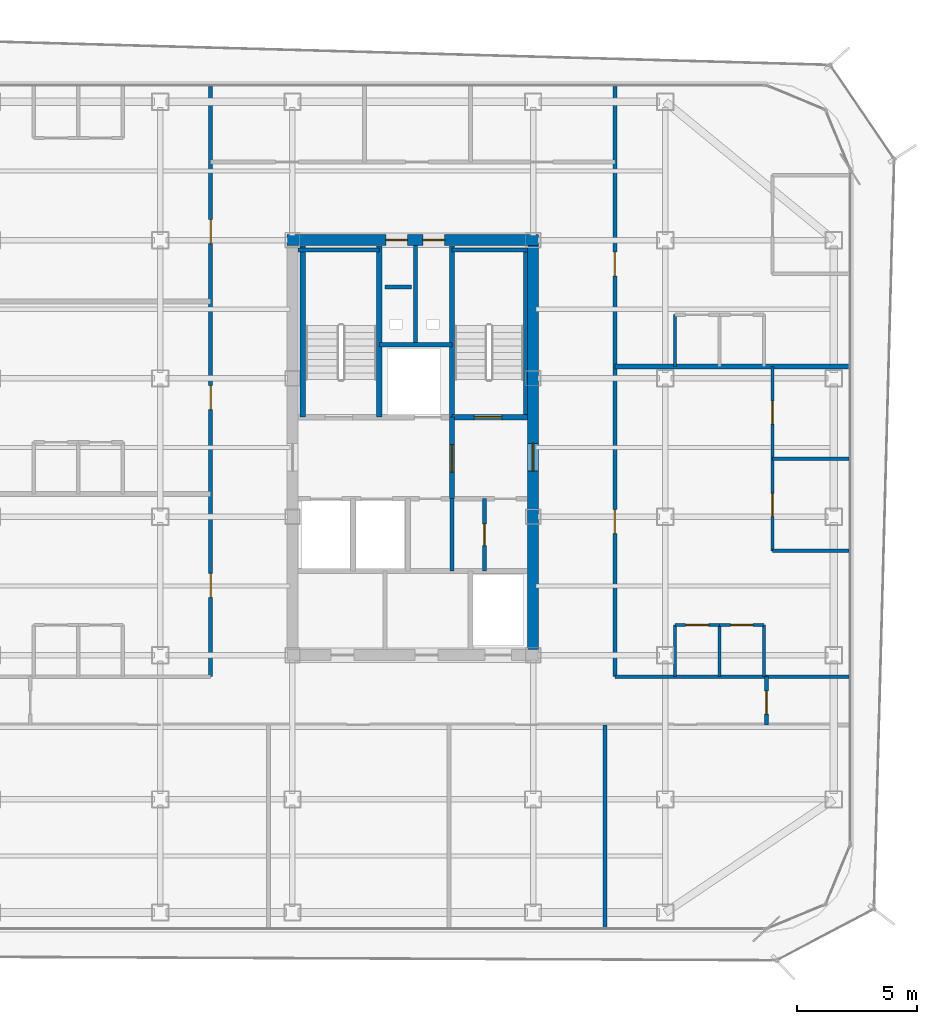
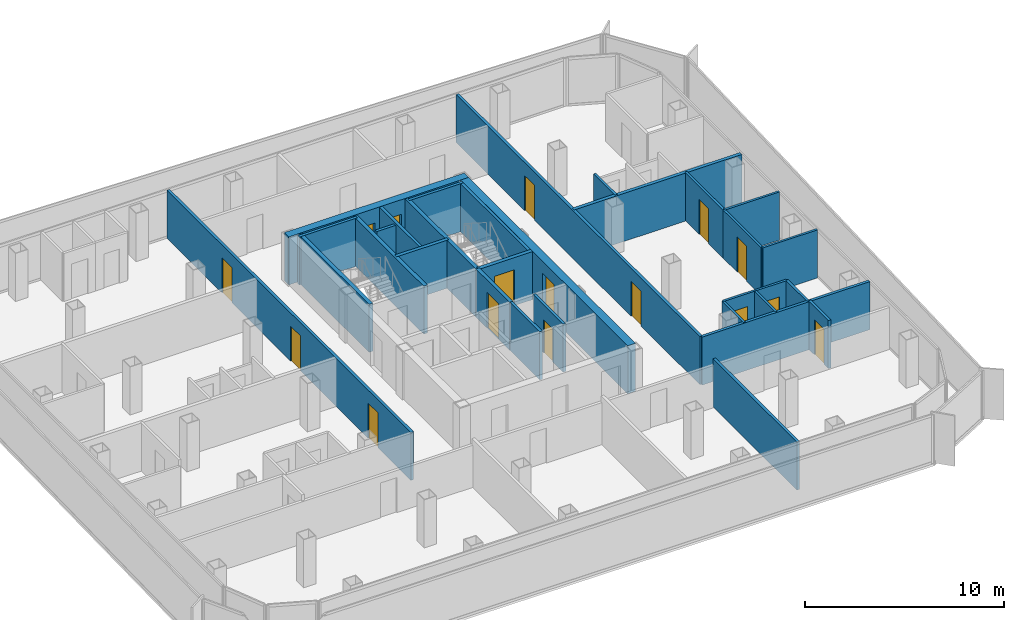
# One storey, part 11 of 15: 32 walls, 16 doors, 16 openings.
"""IFC4 building model written with IfcOpenShell, lengths in metres."""

from ifc_helpers import new_model, si_unit, direction, frame, frame_2d, origin, place, context, subcontext, project, spatial, rectangle, extrude, material, layer, layer_set, type_object, element, fill, save


model = new_model("IFC4")

# Units and contexts
model_context = context("Model", 3, precision=1e-05, world=origin(), true_north=direction((0.0, 1.0)))
body_context = subcontext(model_context, "Body", "Model", "MODEL_VIEW")
ifc_project = project(units=[si_unit("LENGTHUNIT", "METRE"), si_unit("AREAUNIT", "SQUARE_METRE"), si_unit("VOLUMEUNIT", "CUBIC_METRE"), si_unit("PLANEANGLEUNIT", "RADIAN"), si_unit("MASSUNIT", "GRAM", prefix="KILO")], contexts=[model_context])

# Site, building, storey
site_placement = place(None, origin())
site = spatial("IfcSite", under=ifc_project, at=site_placement, CompositionType="ELEMENT")
building_placement = place(site_placement, origin())
building = spatial("IfcBuilding", under=site, at=building_placement, Name="Kolveth Station Tower", CompositionType="ELEMENT")
storey_placement = place(building_placement, frame((0.0, 0.0, 193.199951171875)))
storey = spatial("IfcBuildingStorey", under=building, at=storey_placement, Name="L54", CompositionType="ELEMENT", Elevation=193.199951171875)

# Wall, openings, doors
ifc_material_1 = material(Name="Concrete C50/60", Category="concrete")
ifc_layer_1 = layer(ifc_material_1, 0.449951171875)
ifc_layer_set_1 = layer_set([ifc_layer_1], Name="Concrete C50/60")
wall_type_1 = type_object("IfcWallType", Name="Wall_CW-450", PredefinedType="SHEAR", material=ifc_layer_set_1)
wall_1_placement = place(storey_placement, frame((18.27490234375, 28.75, 0.0), z_axis=(0.0, 0.0, 1.0), x_axis=(1.0, 0.0, 0.0)))
wall_1 = element("IfcWall", 1, at=wall_1_placement, inside=storey, type_object=wall_type_1, Name="L54 Core RC Shear Wall N", PredefinedType="SHEAR", context=body_context, shape_type="SweptSolid", body=[
    extrude(rectangle(XDim=10.4501953125, YDim=0.449951171875, at=frame_2d((5.22509765625, 0.0))), origin(), (0.0, 0.0, 1.0), 2.949951171875),
])
opening_1_placement = place(wall_1_placement, frame((4.10498046875, 0.0, 0.0)))
opening_1 = element("IfcOpeningElement", 2, at=opening_1_placement, cuts=wall_1, Name="Opening RD1", PredefinedType="OPENING", context=body_context, shape_type="SweptSolid", body=[
    extrude(rectangle(XDim=0.89990234375, YDim=2.050048828125, at=frame_2d((0.449951171875, 1.02490234375))), frame((0.0, 0.23486328125, 0.0), z_axis=(0.0, -1.0, 0.0), x_axis=(1.0, 0.0, 0.0)), (0.0, 0.0, 1.0), 0.469970703125),
])
opening_2_placement = place(wall_1_placement, frame((5.64501953125, 0.0, 0.0)))
opening_2 = element("IfcOpeningElement", 3, at=opening_2_placement, cuts=wall_1, Name="Opening RD1", PredefinedType="OPENING", context=body_context, shape_type="SweptSolid", body=[
    extrude(rectangle(XDim=0.89990234375, YDim=2.050048828125, at=frame_2d((0.449951171875, 1.02490234375))), frame((0.0, 0.23486328125, 0.0), z_axis=(0.0, -1.0, 0.0), x_axis=(1.0, 0.0, 0.0)), (0.0, 0.0, 1.0), 0.469970703125),
])
ifc_material_2 = material(Name="Fire-rated Steel S355 riser access leaf", Category="steel")
door_type_1 = type_object("IfcDoorType", Name="Door_RD1", OperationType="NOTDEFINED", PredefinedType="DOOR", material=ifc_material_2)
door_1_placement = place(opening_1_placement, origin())
door_1 = element("IfcDoor", 4, at=door_1_placement, inside=storey, type_object=door_type_1, Name="L54 Electrical Riser Access Door", OperationType="SINGLE_SWING_RIGHT", OverallHeight=2.050048828125, OverallWidth=0.89990234375, PredefinedType="DOOR", context=body_context, shape_type="SweptSolid", body=[
    extrude(rectangle(XDim=0.89990234375, YDim=2.050048828125, at=frame_2d((0.449951171875, 1.02490234375))), frame((0.0, 0.02490234375, 0.0), z_axis=(0.0, -1.0, 0.0), x_axis=(1.0, 0.0, 0.0)), (0.0, 0.0, 1.0), 0.050048828125),
])
fill(opening_1, door_1)
door_2_placement = place(opening_2_placement, origin())
door_2 = element("IfcDoor", 5, at=door_2_placement, inside=storey, type_object=door_type_1, Name="L54 Smoke Duct Access Door", OperationType="SINGLE_SWING_LEFT", OverallHeight=2.050048828125, OverallWidth=0.89990234375, PredefinedType="DOOR", context=body_context, shape_type="SweptSolid", body=[
    extrude(rectangle(XDim=0.89990234375, YDim=2.050048828125, at=frame_2d((0.449951171875, 1.02490234375))), frame((0.0, 0.02490234375, 0.0), z_axis=(0.0, -1.0, 0.0), x_axis=(1.0, 0.0, 0.0)), (0.0, 0.0, 1.0), 0.050048828125),
])
fill(opening_2, door_2)

# Wall, opening, door
wall_2_placement = place(storey_placement, frame((28.5, 11.72509765625, 0.0), z_axis=(0.0, 0.0, 1.0), x_axis=(0.0, 1.0, 0.0)))
wall_2 = element("IfcWall", 6, at=wall_2_placement, inside=storey, type_object=wall_type_1, Name="L54 Core RC Shear Wall E", PredefinedType="SHEAR", context=body_context, shape_type="SweptSolid", body=[
    extrude(rectangle(XDim=16.7998046875, YDim=0.449951171875, at=frame_2d((8.39990234375, 0.0))), origin(), (0.0, 0.0, 1.0), 2.949951171875),
])
opening_3_placement = place(wall_2_placement, frame((7.425048828125, 0.0, 0.0)))
opening_3 = element("IfcOpeningElement", 7, at=opening_3_placement, cuts=wall_2, Name="Opening FD1", PredefinedType="OPENING", context=body_context, shape_type="SweptSolid", body=[
    extrude(rectangle(XDim=1.14990234375, YDim=2.199951171875, at=frame_2d((0.574951171875, 1.10009765625))), frame((0.0, 0.23486328125, 0.0), z_axis=(0.0, -1.0, 0.0), x_axis=(1.0, 0.0, 0.0)), (0.0, 0.0, 1.0), 0.469970703125),
])
ifc_material_3 = material(Name="Fire-rated Steel S355 leaf and frame", Category="steel")
door_type_2 = type_object("IfcDoorType", Name="Door_FD1", OperationType="NOTDEFINED", PredefinedType="DOOR", material=ifc_material_3)
door_3_placement = place(opening_3_placement, origin())
door_3 = element("IfcDoor", 8, at=door_3_placement, inside=storey, type_object=door_type_2, Name="L54 East Corridor to Stair Lobby Door", OperationType="SINGLE_SWING_LEFT", OverallHeight=2.199951171875, OverallWidth=1.14990234375, PredefinedType="DOOR", context=body_context, shape_type="SweptSolid", body=[
    extrude(rectangle(XDim=1.14990234375, YDim=2.199951171875, at=frame_2d((0.574951171875, 1.10009765625))), frame((0.0, 0.02490234375, 0.0), z_axis=(0.0, -1.0, 0.0), x_axis=(1.0, 0.0, 0.0)), (0.0, 0.0, 1.0), 0.050048828125),
])
fill(opening_3, door_3)

ifc_material_4 = material(Name="Moisture-resistant gypsum partition")
ifc_layer_2 = layer(ifc_material_4, 0.135009765625)
ifc_layer_set_2 = layer_set([ifc_layer_2], Name="Moisture-resistant gypsum partition")
wall_type_2 = type_object("IfcWallType", Name="Wall_IW-135", PredefinedType="PARTITIONING", material=ifc_layer_set_2)
wall_3_placement = place(storey_placement, frame((34.39990234375, 12.75, 0.0), z_axis=(0.0, 0.0, 1.0), x_axis=(1.0, 0.0, 0.0)))
wall_3 = element("IfcWall", 9, at=wall_3_placement, inside=storey, type_object=wall_type_2, Name="L54 Partition Wall WL-L54-E1-IBHK", PredefinedType="PARTITIONING", context=body_context, shape_type="SweptSolid", body=[
    extrude(rectangle(XDim=1.85009765625, YDim=0.135009765625, at=frame_2d((0.925048828125, 0.0))), origin(), (0.0, 0.0, 1.0), 2.949951171875),
])
opening_4_placement = place(wall_3_placement, frame((0.445068359375, 0.0, 0.0)))
opening_4 = element("IfcOpeningElement", 10, at=opening_4_placement, cuts=wall_3, Name="Opening ID1", PredefinedType="OPENING", context=body_context, shape_type="SweptSolid", body=[
    extrude(rectangle(XDim=0.949951171875, YDim=2.14990234375, at=frame_2d((0.47509765625, 1.074951171875))), frame((0.0, 0.077392578125, 0.0), z_axis=(0.0, -1.0, 0.0), x_axis=(1.0, 0.0, 0.0)), (0.0, 0.0, 1.0), 0.155029296875),
])
ifc_material_5 = material(Name="Acoustic hardwood leaf and aluminium frame", Category="wood")
door_type_3 = type_object("IfcDoorType", Name="Door_ID1", OperationType="NOTDEFINED", PredefinedType="DOOR", material=ifc_material_5)
door_4_placement = place(opening_4_placement, origin())
door_4 = element("IfcDoor", 11, at=door_4_placement, inside=storey, type_object=door_type_3, Name="Penthouse Flat L54-E1 Kitchen Door", OperationType="SINGLE_SWING_LEFT", OverallHeight=2.14990234375, OverallWidth=0.949951171875, PredefinedType="DOOR", context=body_context, shape_type="SweptSolid", body=[
    extrude(rectangle(XDim=0.949951171875, YDim=2.14990234375, at=frame_2d((0.47509765625, 1.074951171875))), frame((0.0, 0.02490234375, 0.0), z_axis=(0.0, -1.0, 0.0), x_axis=(1.0, 0.0, 0.0)), (0.0, 0.0, 1.0), 0.050048828125),
])
fill(opening_4, door_4)

wall_4_placement = place(storey_placement, frame((36.25, 12.75, 0.0), z_axis=(0.0, 0.0, 1.0), x_axis=(1.0, 0.0, 0.0)))
wall_4 = element("IfcWall", 12, at=wall_4_placement, inside=storey, type_object=wall_type_2, Name="L54 Partition Wall WL-L54-E1-IBHB", PredefinedType="PARTITIONING", context=body_context, shape_type="SweptSolid", body=[
    extrude(rectangle(XDim=1.85009765625, YDim=0.135009765625, at=frame_2d((0.925048828125, 0.0))), origin(), (0.0, 0.0, 1.0), 2.949951171875),
])
opening_5_placement = place(wall_4_placement, frame((0.465087890625, 0.0, 0.0)))
opening_5 = element("IfcOpeningElement", 13, at=opening_5_placement, cuts=wall_4, Name="Opening ID2", PredefinedType="OPENING", context=body_context, shape_type="SweptSolid", body=[
    extrude(rectangle(XDim=0.919921875, YDim=2.10009765625, at=frame_2d((0.4599609375, 1.050048828125))), frame((0.0, 0.077392578125, 0.0), z_axis=(0.0, -1.0, 0.0), x_axis=(1.0, 0.0, 0.0)), (0.0, 0.0, 1.0), 0.155029296875),
])
ifc_material_6 = material(Name="Moisture-resistant hardwood leaf", Category="wood")
door_type_4 = type_object("IfcDoorType", Name="Door_ID2", OperationType="NOTDEFINED", PredefinedType="DOOR", material=ifc_material_6)
door_5_placement = place(opening_5_placement, origin())
door_5 = element("IfcDoor", 14, at=door_5_placement, inside=storey, type_object=door_type_4, Name="Penthouse Flat L54-E1 Bathroom Door", OperationType="SINGLE_SWING_RIGHT", OverallHeight=2.10009765625, OverallWidth=0.919921875, PredefinedType="DOOR", context=body_context, shape_type="SweptSolid", body=[
    extrude(rectangle(XDim=0.919921875, YDim=2.10009765625, at=frame_2d((0.4599609375, 1.050048828125))), frame((0.0, 0.02490234375, 0.0), z_axis=(0.0, -1.0, 0.0), x_axis=(1.0, 0.0, 0.0)), (0.0, 0.0, 1.0), 0.050048828125),
])
fill(opening_5, door_5)

# Walls
for number, where, z_axis, x_axis, name in (
    (15, (34.39990234375, 10.60009765625, 0.0), (0.0, 0.0, 1.0), (0.0, 1.0, 0.0), "L54 Partition Wall WL-L54-E1-IBV0"),
    (16, (36.25, 10.60009765625, 0.0), (0.0, 0.0, 1.0), (0.0, 1.0, 0.0), "L54 Partition Wall WL-L54-E1-IBV1"),
    (17, (38.10009765625, 10.60009765625, 0.0), (0.0, 0.0, 1.0), (0.0, 1.0, 0.0), "L54 Partition Wall WL-L54-E1-IBV2"),
):
    element("IfcWall", number, at=place(storey_placement, frame(where, z_axis=z_axis, x_axis=x_axis)), inside=storey, type_object=wall_type_2, Name=name, PredefinedType="PARTITIONING", context=body_context, shape_type="SweptSolid", body=[
        extrude(rectangle(XDim=2.14990234375, YDim=0.135009765625, at=frame_2d((1.074951171875, 0.0))), origin(), (0.0, 0.0, 1.0), 2.949951171875),
    ])
wall_5_placement = place(storey_placement, frame((38.449951171875, 15.83203125, 0.0), z_axis=(0.0, 0.0, 1.0), x_axis=(1.0, 0.0, 0.0)))
element("IfcWall", 18, at=wall_5_placement, inside=storey, type_object=wall_type_2, Name="L54 Partition Wall WL-L54-E1-BDH0", PredefinedType="PARTITIONING", context=body_context, shape_type="SweptSolid", body=[
    extrude(rectangle(XDim=3.18994140625, YDim=0.135009765625, at=frame_2d((1.594970703125, 0.0))), origin(), (0.0, 0.0, 1.0), 2.949951171875),
])

# Wall, opening, door
wall_6_placement = place(storey_placement, frame((38.449951171875, 15.83203125, 0.0), z_axis=(0.0, 0.0, 1.0), x_axis=(0.0, 1.0, 0.0)))
wall_6 = element("IfcWall", 19, at=wall_6_placement, inside=storey, type_object=wall_type_2, Name="L54 Partition Wall WL-L54-E1-BDV1", PredefinedType="PARTITIONING", context=body_context, shape_type="SweptSolid", body=[
    extrude(rectangle(XDim=3.833984375, YDim=0.135009765625, at=frame_2d((1.9169921875, 0.0))), origin(), (0.0, 0.0, 1.0), 2.949951171875),
])
opening_6_placement = place(wall_6_placement, frame((1.43701171875, 0.0, 0.0)))
opening_6 = element("IfcOpeningElement", 20, at=opening_6_placement, cuts=wall_6, Name="Opening ID1", PredefinedType="OPENING", context=body_context, shape_type="SweptSolid", body=[
    extrude(rectangle(XDim=0.949951171875, YDim=2.14990234375, at=frame_2d((0.47509765625, 1.074951171875))), frame((0.0, 0.077392578125, 0.0), z_axis=(0.0, -1.0, 0.0), x_axis=(1.0, 0.0, 0.0)), (0.0, 0.0, 1.0), 0.155029296875),
])
door_6_placement = place(opening_6_placement, frame((0.949951171875, 0.0, 0.0), z_axis=(0.0, 0.0, 1.0), x_axis=(-1.0, 0.0, 0.0)))
door_6 = element("IfcDoor", 21, at=door_6_placement, inside=storey, type_object=door_type_3, Name="Penthouse Flat L54-E1 Bedroom 1 Door", OperationType="SINGLE_SWING_LEFT", OverallHeight=2.14990234375, OverallWidth=0.949951171875, PredefinedType="DOOR", context=body_context, shape_type="SweptSolid", body=[
    extrude(rectangle(XDim=0.949951171875, YDim=2.14990234375, at=frame_2d((0.47509765625, 1.074951171875))), frame((0.0, 0.02490234375, 0.0), z_axis=(0.0, -1.0, 0.0), x_axis=(1.0, 0.0, 0.0)), (0.0, 0.0, 1.0), 0.050048828125),
])
fill(opening_6, door_6)

wall_7_placement = place(storey_placement, frame((38.449951171875, 19.666015625, 0.0), z_axis=(0.0, 0.0, 1.0), x_axis=(0.0, 1.0, 0.0)))
wall_7 = element("IfcWall", 22, at=wall_7_placement, inside=storey, type_object=wall_type_2, Name="L54 Partition Wall WL-L54-E1-BDV2", PredefinedType="PARTITIONING", context=body_context, shape_type="SweptSolid", body=[
    extrude(rectangle(XDim=3.833984375, YDim=0.135009765625, at=frame_2d((1.9169921875, 0.0))), origin(), (0.0, 0.0, 1.0), 2.949951171875),
])
opening_7_placement = place(wall_7_placement, frame((1.43701171875, 0.0, 0.0)))
opening_7 = element("IfcOpeningElement", 23, at=opening_7_placement, cuts=wall_7, Name="Opening ID1", PredefinedType="OPENING", context=body_context, shape_type="SweptSolid", body=[
    extrude(rectangle(XDim=0.949951171875, YDim=2.14990234375, at=frame_2d((0.47509765625, 1.074951171875))), frame((0.0, 0.077392578125, 0.0), z_axis=(0.0, -1.0, 0.0), x_axis=(1.0, 0.0, 0.0)), (0.0, 0.0, 1.0), 0.155029296875),
])
door_7_placement = place(opening_7_placement, frame((0.949951171875, 0.0, 0.0), z_axis=(0.0, 0.0, 1.0), x_axis=(-1.0, 0.0, 0.0)))
door_7 = element("IfcDoor", 24, at=door_7_placement, inside=storey, type_object=door_type_3, Name="Penthouse Flat L54-E1 Bedroom 2 Door", OperationType="SINGLE_SWING_LEFT", OverallHeight=2.14990234375, OverallWidth=0.949951171875, PredefinedType="DOOR", context=body_context, shape_type="SweptSolid", body=[
    extrude(rectangle(XDim=0.949951171875, YDim=2.14990234375, at=frame_2d((0.47509765625, 1.074951171875))), frame((0.0, 0.02490234375, 0.0), z_axis=(0.0, -1.0, 0.0), x_axis=(1.0, 0.0, 0.0)), (0.0, 0.0, 1.0), 0.050048828125),
])
fill(opening_7, door_7)

# Walls
wall_8_placement = place(storey_placement, frame((38.449951171875, 19.666015625, 0.0), z_axis=(0.0, 0.0, 1.0), x_axis=(1.0, 0.0, 0.0)))
element("IfcWall", 25, at=wall_8_placement, inside=storey, type_object=wall_type_2, Name="L54 Partition Wall WL-L54-E1-BDH1", PredefinedType="PARTITIONING", context=body_context, shape_type="SweptSolid", body=[
    extrude(rectangle(XDim=3.18994140625, YDim=0.135009765625, at=frame_2d((1.594970703125, 0.0))), origin(), (0.0, 0.0, 1.0), 2.949951171875),
])
wall_9_placement = place(storey_placement, frame((34.39990234375, 23.5, 0.0), z_axis=(0.0, 0.0, 1.0), x_axis=(0.0, 1.0, 0.0)))
element("IfcWall", 26, at=wall_9_placement, inside=storey, type_object=wall_type_2, Name="L54 Partition Wall WL-L54-E2-IBV0", PredefinedType="PARTITIONING", context=body_context, shape_type="SweptSolid", body=[
    extrude(rectangle(XDim=2.14990234375, YDim=0.135009765625, at=frame_2d((1.074951171875, 0.0))), origin(), (0.0, 0.0, 1.0), 2.949951171875),
])
ifc_material_7 = material(Name="Acoustic double-stud gypsum partition")
ifc_layer_3 = layer(ifc_material_7, 0.1650390625)
ifc_layer_set_3 = layer_set([ifc_layer_3], Name="Acoustic double-stud gypsum partition")
wall_type_3 = type_object("IfcWallType", Name="Wall_IW-165", PredefinedType="PARTITIONING", material=ifc_layer_set_3)
wall_10_placement = place(storey_placement, frame((18.735107421875, 28.3349609375, 0.0), z_axis=(0.0, 0.0, 1.0), x_axis=(1.0, 0.0, 0.0)))
element("IfcWall", 27, at=wall_10_placement, inside=storey, type_object=wall_type_3, Name="L54 Stair Shaft Wall WL-L54-ST1-N", PredefinedType="PARTITIONING", context=body_context, shape_type="SweptSolid", body=[
    extrude(rectangle(XDim=3.375, YDim=0.1650390625, at=frame_2d((1.6875, 0.0))), origin(), (0.0, 0.0, 1.0), 2.949951171875),
])
wall_11_placement = place(storey_placement, frame((25.1298828125, 28.3349609375, 0.0), z_axis=(0.0, 0.0, 1.0), x_axis=(1.0, 0.0, 0.0)))
element("IfcWall", 28, at=wall_11_placement, inside=storey, type_object=wall_type_3, Name="L54 Stair Shaft Wall WL-L54-ST2-N", PredefinedType="PARTITIONING", context=body_context, shape_type="SweptSolid", body=[
    extrude(rectangle(XDim=3.135009765625, YDim=0.1650390625, at=frame_2d((1.5673828125, 0.0))), origin(), (0.0, 0.0, 1.0), 2.949951171875),
])
wall_12_placement = place(storey_placement, frame((28.1826171875, 21.389892578125, 0.0), z_axis=(0.0, 0.0, 1.0), x_axis=(0.0, 1.0, 0.0)))
element("IfcWall", 29, at=wall_12_placement, inside=storey, type_object=wall_type_3, Name="L54 Stair Shaft Wall WL-L54-ST2-E", PredefinedType="PARTITIONING", context=body_context, shape_type="SweptSolid", body=[
    extrude(rectangle(XDim=6.945068359375, YDim=0.1650390625, at=frame_2d((3.47265625, 0.0))), origin(), (0.0, 0.0, 1.0), 2.949951171875),
])
wall_13_placement = place(storey_placement, frame((23.6201171875, 24.39990234375, 0.0), z_axis=(0.0, 0.0, 1.0), x_axis=(0.0, 1.0, 0.0)))
element("IfcWall", 30, at=wall_13_placement, inside=storey, type_object=wall_type_3, Name="L54 Partition Wall WL-L54-RSR-M", PredefinedType="PARTITIONING", context=body_context, shape_type="SweptSolid", body=[
    extrude(rectangle(XDim=4.114990234375, YDim=0.1650390625, at=frame_2d((2.0576171875, 0.0))), origin(), (0.0, 0.0, 1.0), 2.949951171875),
])
wall_14_placement = place(storey_placement, frame((25.1298828125, 15.0, 0.0), z_axis=(0.0, 0.0, 1.0), x_axis=(0.0, 1.0, 0.0)))
element("IfcWall", 31, at=wall_14_placement, inside=storey, type_object=wall_type_3, Name="L54 Partition Wall WL-L54-CB-V3A", PredefinedType="PARTITIONING", context=body_context, shape_type="SweptSolid", body=[
    extrude(rectangle(XDim=3.0, YDim=0.1650390625, at=frame_2d((1.5, 0.0))), origin(), (0.0, 0.0, 1.0), 2.949951171875),
])

# Wall, opening, door
wall_15_placement = place(storey_placement, frame((26.47998046875, 15.0, 0.0), z_axis=(0.0, 0.0, 1.0), x_axis=(0.0, 1.0, 0.0)))
wall_15 = element("IfcWall", 32, at=wall_15_placement, inside=storey, type_object=wall_type_3, Name="L54 Partition Wall WL-L54-CB-V3B", PredefinedType="PARTITIONING", context=body_context, shape_type="SweptSolid", body=[
    extrude(rectangle(XDim=3.0, YDim=0.1650390625, at=frame_2d((1.5, 0.0))), origin(), (0.0, 0.0, 1.0), 2.949951171875),
])
opening_8_placement = place(wall_15_placement, frame((1.050048828125, 0.0, 0.0)))
opening_8 = element("IfcOpeningElement", 33, at=opening_8_placement, cuts=wall_15, Name="Opening RD1", PredefinedType="OPENING", context=body_context, shape_type="SweptSolid", body=[
    extrude(rectangle(XDim=0.89990234375, YDim=2.050048828125, at=frame_2d((0.449951171875, 1.02490234375))), frame((0.0, 0.092529296875, 0.0), z_axis=(0.0, -1.0, 0.0), x_axis=(1.0, 0.0, 0.0)), (0.0, 0.0, 1.0), 0.18505859375),
])
door_8_placement = place(opening_8_placement, origin())
door_8 = element("IfcDoor", 34, at=door_8_placement, inside=storey, type_object=door_type_1, Name="L54 Core Meter Closet Door", OperationType="SINGLE_SWING_RIGHT", OverallHeight=2.050048828125, OverallWidth=0.89990234375, PredefinedType="DOOR", context=body_context, shape_type="SweptSolid", body=[
    extrude(rectangle(XDim=0.89990234375, YDim=2.050048828125, at=frame_2d((0.449951171875, 1.02490234375))), frame((0.0, 0.02490234375, 0.0), z_axis=(0.0, -1.0, 0.0), x_axis=(1.0, 0.0, 0.0)), (0.0, 0.0, 1.0), 0.050048828125),
])
fill(opening_8, door_8)

# Wall
wall_16_placement = place(storey_placement, frame((31.89990234375, 10.60009765625, 0.0), z_axis=(0.0, 0.0, 1.0), x_axis=(1.0, 0.0, 0.0)))
element("IfcWall", 35, at=wall_16_placement, inside=storey, type_object=wall_type_3, Name="L54 Partition Wall WL-L54-RSET", PredefinedType="PARTITIONING", context=body_context, shape_type="SweptSolid", body=[
    extrude(rectangle(XDim=6.300048828125, YDim=0.1650390625, at=frame_2d((3.14990234375, 0.0))), origin(), (0.0, 0.0, 1.0), 2.949951171875),
])

# Wall, opening, door
wall_17_placement = place(storey_placement, frame((38.199951171875, 8.60009765625, 0.0), z_axis=(0.0, 0.0, 1.0), x_axis=(0.0, 1.0, 0.0)))
wall_17 = element("IfcWall", 36, at=wall_17_placement, inside=storey, type_object=wall_type_3, Name="L54 Partition Wall WL-L54-RSEE", PredefinedType="PARTITIONING", context=body_context, shape_type="SweptSolid", body=[
    extrude(rectangle(XDim=2.0, YDim=0.1650390625, at=frame_2d((1.0, 0.0))), origin(), (0.0, 0.0, 1.0), 2.949951171875),
])
opening_9_placement = place(wall_17_placement, frame((0.449951171875, 0.0, 0.0)))
opening_9 = element("IfcOpeningElement", 37, at=opening_9_placement, cuts=wall_17, Name="Opening ID1", PredefinedType="OPENING", context=body_context, shape_type="SweptSolid", body=[
    extrude(rectangle(XDim=0.949951171875, YDim=2.14990234375, at=frame_2d((0.47509765625, 1.074951171875))), frame((0.0, 0.092529296875, 0.0), z_axis=(0.0, -1.0, 0.0), x_axis=(1.0, 0.0, 0.0)), (0.0, 0.0, 1.0), 0.18505859375),
])
door_9_placement = place(opening_9_placement, origin())
door_9 = element("IfcDoor", 38, at=door_9_placement, inside=storey, type_object=door_type_3, Name="L54 Hobby Study Door", OperationType="SINGLE_SWING_LEFT", OverallHeight=2.14990234375, OverallWidth=0.949951171875, PredefinedType="DOOR", context=body_context, shape_type="SweptSolid", body=[
    extrude(rectangle(XDim=0.949951171875, YDim=2.14990234375, at=frame_2d((0.47509765625, 1.074951171875))), frame((0.0, 0.02490234375, 0.0), z_axis=(0.0, -1.0, 0.0), x_axis=(1.0, 0.0, 0.0)), (0.0, 0.0, 1.0), 0.050048828125),
])
fill(opening_9, door_9)

# Wall, openings, doors
wall_18_placement = place(storey_placement, frame((15.10009765625, 10.60009765625, 0.0), z_axis=(0.0, 0.0, 1.0), x_axis=(0.0, 1.0, 0.0)))
wall_18 = element("IfcWall", 39, at=wall_18_placement, inside=storey, type_object=wall_type_3, Name="L54 Partition Wall WL-L54-RW", PredefinedType="PARTITIONING", context=body_context, shape_type="SweptSolid", body=[
    extrude(rectangle(XDim=24.539794921875, YDim=0.1650390625, at=frame_2d((12.27001953125, 0.0))), origin(), (0.0, 0.0, 1.0), 2.949951171875),
])
opening_10_placement = place(wall_18_placement, frame((3.300048828125, 0.0, 0.0)))
opening_10 = element("IfcOpeningElement", 40, at=opening_10_placement, cuts=wall_18, Name="Opening FD3", PredefinedType="OPENING", context=body_context, shape_type="SweptSolid", body=[
    extrude(rectangle(XDim=1.0, YDim=2.14990234375, at=frame_2d((0.5, 1.074951171875))), frame((0.0, 0.092529296875, 0.0), z_axis=(0.0, -1.0, 0.0), x_axis=(1.0, 0.0, 0.0)), (0.0, 0.0, 1.0), 0.18505859375),
])
opening_11_placement = place(wall_18_placement, frame((11.10009765625, 0.0, 0.0)))
opening_11 = element("IfcOpeningElement", 41, at=opening_11_placement, cuts=wall_18, Name="Opening FD3", PredefinedType="OPENING", context=body_context, shape_type="SweptSolid", body=[
    extrude(rectangle(XDim=1.0, YDim=2.14990234375, at=frame_2d((0.5, 1.074951171875))), frame((0.0, 0.092529296875, 0.0), z_axis=(0.0, -1.0, 0.0), x_axis=(1.0, 0.0, 0.0)), (0.0, 0.0, 1.0), 0.18505859375),
])
opening_12_placement = place(wall_18_placement, frame((18.0, 0.0, 0.0)))
opening_12 = element("IfcOpeningElement", 42, at=opening_12_placement, cuts=wall_18, Name="Opening FD3", PredefinedType="OPENING", context=body_context, shape_type="SweptSolid", body=[
    extrude(rectangle(XDim=1.0, YDim=2.14990234375, at=frame_2d((0.5, 1.074951171875))), frame((0.0, 0.092529296875, 0.0), z_axis=(0.0, -1.0, 0.0), x_axis=(1.0, 0.0, 0.0)), (0.0, 0.0, 1.0), 0.18505859375),
])
ifc_material_8 = material(Name="Fire-rated hardwood leaf and aluminium frame", Category="wood")
door_type_5 = type_object("IfcDoorType", Name="Door_FD3", OperationType="NOTDEFINED", PredefinedType="DOOR", material=ifc_material_8)
door_10_placement = place(opening_10_placement, origin())
door_10 = element("IfcDoor", 43, at=door_10_placement, inside=storey, type_object=door_type_5, Name="Penthouse Flat L54-W1 Entrance Door", OperationType="SINGLE_SWING_LEFT", OverallHeight=2.14990234375, OverallWidth=1.0, PredefinedType="DOOR", context=body_context, shape_type="SweptSolid", body=[
    extrude(rectangle(XDim=1.0, YDim=2.14990234375, at=frame_2d((0.5, 1.074951171875))), frame((0.0, 0.02490234375, 0.0), z_axis=(0.0, -1.0, 0.0), x_axis=(1.0, 0.0, 0.0)), (0.0, 0.0, 1.0), 0.050048828125),
])
fill(opening_10, door_10)
door_11_placement = place(opening_11_placement, origin())
door_11 = element("IfcDoor", 44, at=door_11_placement, inside=storey, type_object=door_type_5, Name="Penthouse Flat L54-W2 Entrance Door", OperationType="SINGLE_SWING_LEFT", OverallHeight=2.14990234375, OverallWidth=1.0, PredefinedType="DOOR", context=body_context, shape_type="SweptSolid", body=[
    extrude(rectangle(XDim=1.0, YDim=2.14990234375, at=frame_2d((0.5, 1.074951171875))), frame((0.0, 0.02490234375, 0.0), z_axis=(0.0, -1.0, 0.0), x_axis=(1.0, 0.0, 0.0)), (0.0, 0.0, 1.0), 0.050048828125),
])
fill(opening_11, door_11)
door_12_placement = place(opening_12_placement, origin())
door_12 = element("IfcDoor", 45, at=door_12_placement, inside=storey, type_object=door_type_5, Name="Penthouse Flat L54-W3 Entrance Door", OperationType="SINGLE_SWING_RIGHT", OverallHeight=2.14990234375, OverallWidth=1.0, PredefinedType="DOOR", context=body_context, shape_type="SweptSolid", body=[
    extrude(rectangle(XDim=1.0, YDim=2.14990234375, at=frame_2d((0.5, 1.074951171875))), frame((0.0, 0.02490234375, 0.0), z_axis=(0.0, -1.0, 0.0), x_axis=(1.0, 0.0, 0.0)), (0.0, 0.0, 1.0), 0.050048828125),
])
fill(opening_12, door_12)

wall_19_placement = place(storey_placement, frame((31.89990234375, 10.60009765625, 0.0), z_axis=(0.0, 0.0, 1.0), x_axis=(0.0, 1.0, 0.0)))
wall_19 = element("IfcWall", 46, at=wall_19_placement, inside=storey, type_object=wall_type_3, Name="L54 Partition Wall WL-L54-RE", PredefinedType="PARTITIONING", context=body_context, shape_type="SweptSolid", body=[
    extrude(rectangle(XDim=24.539794921875, YDim=0.1650390625, at=frame_2d((12.27001953125, 0.0))), origin(), (0.0, 0.0, 1.0), 2.949951171875),
])
opening_13_placement = place(wall_19_placement, frame((5.949951171875, 0.0, 0.0)))
opening_13 = element("IfcOpeningElement", 47, at=opening_13_placement, cuts=wall_19, Name="Opening FD3", PredefinedType="OPENING", context=body_context, shape_type="SweptSolid", body=[
    extrude(rectangle(XDim=1.0, YDim=2.14990234375, at=frame_2d((0.5, 1.074951171875))), frame((0.0, 0.092529296875, 0.0), z_axis=(0.0, -1.0, 0.0), x_axis=(1.0, 0.0, 0.0)), (0.0, 0.0, 1.0), 0.18505859375),
])
opening_14_placement = place(wall_19_placement, frame((16.64990234375, 0.0, 0.0)))
opening_14 = element("IfcOpeningElement", 48, at=opening_14_placement, cuts=wall_19, Name="Opening FD3", PredefinedType="OPENING", context=body_context, shape_type="SweptSolid", body=[
    extrude(rectangle(XDim=1.0, YDim=2.14990234375, at=frame_2d((0.5, 1.074951171875))), frame((0.0, 0.092529296875, 0.0), z_axis=(0.0, -1.0, 0.0), x_axis=(1.0, 0.0, 0.0)), (0.0, 0.0, 1.0), 0.18505859375),
])
door_13_placement = place(opening_13_placement, frame((1.0, 0.0, 0.0), z_axis=(0.0, 0.0, 1.0), x_axis=(-1.0, 0.0, 0.0)))
door_13 = element("IfcDoor", 49, at=door_13_placement, inside=storey, type_object=door_type_5, Name="Penthouse Flat L54-E1 Entrance Door", OperationType="SINGLE_SWING_LEFT", OverallHeight=2.14990234375, OverallWidth=1.0, PredefinedType="DOOR", context=body_context, shape_type="SweptSolid", body=[
    extrude(rectangle(XDim=1.0, YDim=2.14990234375, at=frame_2d((0.5, 1.074951171875))), frame((0.0, 0.02490234375, 0.0), z_axis=(0.0, -1.0, 0.0), x_axis=(1.0, 0.0, 0.0)), (0.0, 0.0, 1.0), 0.050048828125),
])
fill(opening_13, door_13)
door_14_placement = place(opening_14_placement, frame((1.0, 0.0, 0.0), z_axis=(0.0, 0.0, 1.0), x_axis=(-1.0, 0.0, 0.0)))
door_14 = element("IfcDoor", 50, at=door_14_placement, inside=storey, type_object=door_type_5, Name="Penthouse Flat L54-E2 Entrance Door", OperationType="SINGLE_SWING_LEFT", OverallHeight=2.14990234375, OverallWidth=1.0, PredefinedType="DOOR", context=body_context, shape_type="SweptSolid", body=[
    extrude(rectangle(XDim=1.0, YDim=2.14990234375, at=frame_2d((0.5, 1.074951171875))), frame((0.0, 0.02490234375, 0.0), z_axis=(0.0, -1.0, 0.0), x_axis=(1.0, 0.0, 0.0)), (0.0, 0.0, 1.0), 0.050048828125),
])
fill(opening_14, door_14)

# Walls
wall_20_placement = place(storey_placement, frame((31.5, 0.159912109375, 0.0), z_axis=(0.0, 0.0, 1.0), x_axis=(0.0, 1.0, 0.0)))
element("IfcWall", 51, at=wall_20_placement, inside=storey, type_object=wall_type_3, Name="L54 Partition Wall WL-L54-RSA-P3", PredefinedType="PARTITIONING", context=body_context, shape_type="SweptSolid", body=[
    extrude(rectangle(XDim=8.440185546875, YDim=0.1650390625, at=frame_2d((4.22021484375, 0.0))), origin(), (0.0, 0.0, 1.0), 2.949951171875),
])
wall_21_placement = place(storey_placement, frame((38.199951171875, 10.60009765625, 0.0), z_axis=(0.0, 0.0, 1.0), x_axis=(1.0, 0.0, 0.0)))
element("IfcWall", 52, at=wall_21_placement, inside=storey, type_object=wall_type_3, Name="L54 Partition Wall WL-L54-ESTN", PredefinedType="PARTITIONING", context=body_context, shape_type="SweptSolid", body=[
    extrude(rectangle(XDim=3.43994140625, YDim=0.1650390625, at=frame_2d((1.719970703125, 0.0))), origin(), (0.0, 0.0, 1.0), 2.949951171875),
])
wall_22_placement = place(storey_placement, frame((22.35009765625, 26.800048828125, 0.0), z_axis=(0.0, 0.0, 1.0), x_axis=(1.0, 0.0, 0.0)))
element("IfcWall", 53, at=wall_22_placement, inside=storey, type_object=wall_type_3, Name="L54 Acoustic Riser Dry-Lining Wall", PredefinedType="PARTITIONING", context=body_context, shape_type="SweptSolid", body=[
    extrude(rectangle(XDim=1.099853515625, YDim=0.1650390625, at=frame_2d((0.5498046875, 0.0))), origin(), (0.0, 0.0, 1.0), 2.949951171875),
])
ifc_material_9 = material(Name="Acoustic fire-rated gypsum blockwork", Category="masonry")
ifc_layer_4 = layer(ifc_material_9, 0.199951171875)
ifc_layer_set_4 = layer_set([ifc_layer_4], Name="Acoustic fire-rated gypsum blockwork")
wall_type_4 = type_object("IfcWallType", Name="Wall_IW-200", PredefinedType="PARTITIONING", material=ifc_layer_set_4)
wall_23_placement = place(storey_placement, frame((22.110107421875, 24.39990234375, 0.0), z_axis=(0.0, 0.0, 1.0), x_axis=(1.0, 0.0, 0.0)))
element("IfcWall", 54, at=wall_23_placement, inside=storey, type_object=wall_type_4, Name="L54 Partition Wall WL-L54-RSR-S", PredefinedType="PARTITIONING", context=body_context, shape_type="SweptSolid", body=[
    extrude(rectangle(XDim=3.019775390625, YDim=0.199951171875, at=frame_2d((1.509765625, 0.0))), origin(), (0.0, 0.0, 1.0), 2.949951171875),
])

# Wall, opening, door
wall_24_placement = place(storey_placement, frame((25.1298828125, 18.0, 0.0), z_axis=(0.0, 0.0, 1.0), x_axis=(0.0, 1.0, 0.0)))
wall_24 = element("IfcWall", 55, at=wall_24_placement, inside=storey, type_object=wall_type_4, Name="L54 Partition Wall WL-L54-FFL-E", PredefinedType="PARTITIONING", context=body_context, shape_type="SweptSolid", body=[
    extrude(rectangle(XDim=3.389892578125, YDim=0.199951171875, at=frame_2d((1.69482421875, 0.0))), origin(), (0.0, 0.0, 1.0), 2.949951171875),
])
opening_15_placement = place(wall_24_placement, frame((1.10009765625, 0.0, 0.0)))
opening_15 = element("IfcOpeningElement", 56, at=opening_15_placement, cuts=wall_24, Name="Opening FD1", PredefinedType="OPENING", context=body_context, shape_type="SweptSolid", body=[
    extrude(rectangle(XDim=1.14990234375, YDim=2.199951171875, at=frame_2d((0.574951171875, 1.10009765625))), frame((0.0, 0.10986328125, 0.0), z_axis=(0.0, -1.0, 0.0), x_axis=(1.0, 0.0, 0.0)), (0.0, 0.0, 1.0), 0.219970703125),
])
door_15_placement = place(opening_15_placement, origin())
door_15 = element("IfcDoor", 57, at=door_15_placement, inside=storey, type_object=door_type_2, Name="L54 Firefighting to Stair Lobby Door", OperationType="SINGLE_SWING_LEFT", OverallHeight=2.199951171875, OverallWidth=1.14990234375, PredefinedType="DOOR", context=body_context, shape_type="SweptSolid", body=[
    extrude(rectangle(XDim=1.14990234375, YDim=2.199951171875, at=frame_2d((0.574951171875, 1.10009765625))), frame((0.0, 0.02490234375, 0.0), z_axis=(0.0, -1.0, 0.0), x_axis=(1.0, 0.0, 0.0)), (0.0, 0.0, 1.0), 0.050048828125),
])
fill(opening_15, door_15)

# Walls
wall_25_placement = place(storey_placement, frame((31.89990234375, 23.5, 0.0), z_axis=(0.0, 0.0, 1.0), x_axis=(1.0, 0.0, 0.0)))
element("IfcWall", 58, at=wall_25_placement, inside=storey, type_object=wall_type_4, Name="L54 Partition Wall WL-L54-REU-1", PredefinedType="PARTITIONING", context=body_context, shape_type="SweptSolid", body=[
    extrude(rectangle(XDim=9.739990234375, YDim=0.199951171875, at=frame_2d((4.8701171875, 0.0))), origin(), (0.0, 0.0, 1.0), 2.949951171875),
])
ifc_material_10 = material(Name="Concrete C40/50", Category="concrete")
ifc_layer_5 = layer(ifc_material_10, 0.219970703125)
ifc_layer_set_5 = layer_set([ifc_layer_5], Name="Concrete C40/50")
wall_type_5 = type_object("IfcWallType", Name="Wall_IW-220", PredefinedType="SOLIDWALL", material=ifc_layer_set_5)
for number, where, z_axis, x_axis, name in (
    (59, (18.929931640625, 21.389892578125, 0.0), (0.0, 0.0, 1.0), (0.0, 1.0, 0.0), "L54 Stair Shaft Wall WL-L54-ST1-W"),
    (60, (22.110107421875, 21.389892578125, 0.0), (0.0, 0.0, 1.0), (0.0, 1.0, 0.0), "L54 Stair Shaft Wall WL-L54-ST1-E"),
    (61, (25.1298828125, 21.389892578125, 0.0), (0.0, 0.0, 1.0), (0.0, 1.0, 0.0), "L54 Stair Shaft Wall WL-L54-ST2-W"),
):
    element("IfcWall", number, at=place(storey_placement, frame(where, z_axis=z_axis, x_axis=x_axis)), inside=storey, type_object=wall_type_5, Name=name, PredefinedType="SOLIDWALL", context=body_context, shape_type="SweptSolid", body=[
        extrude(rectangle(XDim=7.110107421875, YDim=0.219970703125, at=frame_2d((3.55517578125, 0.0))), origin(), (0.0, 0.0, 1.0), 2.949951171875),
    ])

# Wall, opening, door
wall_26_placement = place(storey_placement, frame((25.1298828125, 21.389892578125, 0.0), z_axis=(0.0, 0.0, 1.0), x_axis=(1.0, 0.0, 0.0)))
wall_26 = element("IfcWall", 62, at=wall_26_placement, inside=storey, type_object=wall_type_5, Name="L54 Stair Shaft Wall WL-L54-ST2-S", PredefinedType="SOLIDWALL", context=body_context, shape_type="SweptSolid", body=[
    extrude(rectangle(XDim=3.135009765625, YDim=0.219970703125, at=frame_2d((1.5673828125, 0.0))), origin(), (0.0, 0.0, 1.0), 2.949951171875),
])
opening_16_placement = place(wall_26_placement, frame((0.919921875, 0.0, 0.0)))
opening_16 = element("IfcOpeningElement", 63, at=opening_16_placement, cuts=wall_26, Name="Opening FD1", PredefinedType="OPENING", context=body_context, shape_type="SweptSolid", body=[
    extrude(rectangle(XDim=1.14990234375, YDim=2.199951171875, at=frame_2d((0.574951171875, 1.10009765625))), frame((0.0, 0.119873046875, 0.0), z_axis=(0.0, -1.0, 0.0), x_axis=(1.0, 0.0, 0.0)), (0.0, 0.0, 1.0), 0.239990234375),
])
door_16_placement = place(opening_16_placement, frame((1.14990234375, 0.0, 0.0), z_axis=(0.0, 0.0, 1.0), x_axis=(-1.0, 0.0, 0.0)))
door_16 = element("IfcDoor", 64, at=door_16_placement, inside=storey, type_object=door_type_2, Name="L54 Stair ST2 Fire Door", OperationType="SINGLE_SWING_LEFT", OverallHeight=2.199951171875, OverallWidth=1.14990234375, PredefinedType="DOOR", context=body_context, shape_type="SweptSolid", body=[
    extrude(rectangle(XDim=1.14990234375, YDim=2.199951171875, at=frame_2d((0.574951171875, 1.10009765625))), frame((0.0, 0.02490234375, 0.0), z_axis=(0.0, -1.0, 0.0), x_axis=(1.0, 0.0, 0.0)), (0.0, 0.0, 1.0), 0.050048828125),
])
fill(opening_16, door_16)

save(model, "model.ifc")
